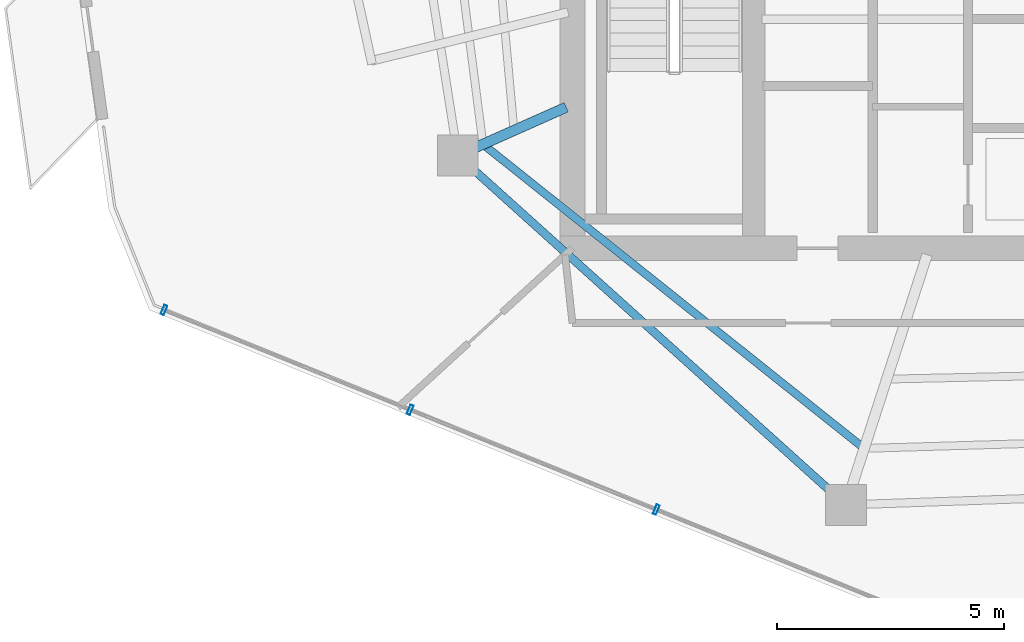
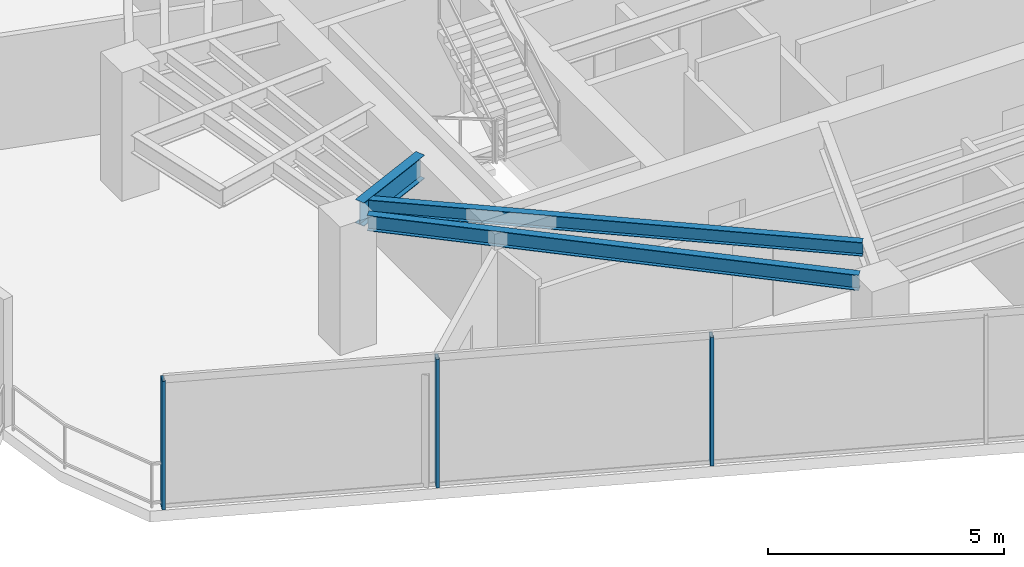
# One storey, part 2 of 19: 3 beams, 3 members, 1 element without a shape of its own.
"""IFC4 building model written with IfcOpenShell, lengths in metres."""

from ifc_helpers import new_model, si_unit, direction, frame, origin, origin_2d, place, context, subcontext, project, spatial, hollow_rectangle, i_section, extrude, material, layer, layer_set, material_profile, profile_set, type_object, element, aggregate, save


model = new_model("IFC4")

# Units and contexts
model_context = context("Model", 3, precision=1e-05, world=origin(), true_north=direction((0.0, 1.0)))
body_context = subcontext(model_context, "Body", "Model", "MODEL_VIEW")
ifc_project = project(units=[si_unit("LENGTHUNIT", "METRE"), si_unit("AREAUNIT", "SQUARE_METRE"), si_unit("VOLUMEUNIT", "CUBIC_METRE"), si_unit("PLANEANGLEUNIT", "RADIAN"), si_unit("MASSUNIT", "GRAM", prefix="KILO")], contexts=[model_context])

# Site, building, storey
site_placement = place(None, origin())
site = spatial("IfcSite", under=ifc_project, at=site_placement, CompositionType="ELEMENT")
building_placement = place(site_placement, origin())
building = spatial("IfcBuilding", under=site, at=building_placement, Name="Qarnah Convention Tower", CompositionType="ELEMENT")
storey_placement = place(building_placement, frame((0.0, 0.0, 209.39990234375)))
storey = spatial("IfcBuildingStorey", under=building, at=storey_placement, Name="L56", CompositionType="ELEMENT", Elevation=209.39990234375)

# Beams
ifc_material_1 = material(Name="Structural steel S355JR", Category="steel")
ifc_material_profile_1 = material_profile(ifc_material_1, i_section(OverallWidth=0.172119140625, OverallDepth=0.35595703125, WebThickness=0.007080078125, FlangeThickness=0.011962890625, at=origin_2d()), Name="W360X51")
ifc_profile_set_1 = profile_set([ifc_material_profile_1], Name="Structural steel S355JR")
beam_type_1 = type_object("IfcBeamType", Name="BM-JST-W360", PredefinedType="JOIST", material=ifc_profile_set_1)
beam_1_placement = place(storey_placement, frame((24.89892578125, 20.8359375, 3.14208984375), z_axis=(0.781677166358, -0.62368325903, 0.0), x_axis=(0.62368325903, 0.781677166358, 0.0)))
element("IfcBeam", 1, at=beam_1_placement, inside=storey, type_object=beam_type_1, Name="L56 joist BM-L56-SJST-06", PredefinedType="JOIST", context=body_context, shape_type="SweptSolid", body=[
    extrude(i_section(OverallWidth=0.172119140625, OverallDepth=0.35595703125, WebThickness=0.007080078125, FlangeThickness=0.011962890625, at=origin_2d()), origin(), (0.0, 0.0, 1.0), 10.569580078125),
])
ifc_material_profile_2 = material_profile(ifc_material_1, i_section(OverallWidth=0.22802734375, OverallDepth=0.60791015625, WebThickness=0.010986328125, FlangeThickness=0.01708984375, at=origin_2d()), Name="W610X113")
ifc_profile_set_2 = profile_set([ifc_material_profile_2], Name="Structural steel S355JR")
beam_type_2 = type_object("IfcBeamType", Name="BM-RAD-W610B", PredefinedType="BEAM", material=ifc_profile_set_2)
beam_2_placement = place(storey_placement, frame((26.6630859375, 21.708984375, 3.01611328125), z_axis=(-0.913585734164, -0.406646168471, 0.0), x_axis=(0.406646168471, -0.913585734164, 0.0)))
element("IfcBeam", 2, at=beam_2_placement, inside=storey, type_object=beam_type_2, Name="L56 beam BM-L56-RAD-06", PredefinedType="BEAM", context=body_context, shape_type="SweptSolid", body=[
    extrude(i_section(OverallWidth=0.22802734375, OverallDepth=0.60791015625, WebThickness=0.010986328125, FlangeThickness=0.01708984375, at=origin_2d()), origin(), (0.0, 0.0, 1.0), 2.18603515625),
])
ifc_material_profile_3 = material_profile(ifc_material_1, i_section(OverallWidth=0.179931640625, OverallDepth=0.39990234375, WebThickness=0.009033203125, FlangeThickness=0.013916015625, at=origin_2d()), Name="IPE400")
ifc_profile_set_3 = profile_set([ifc_material_profile_3], Name="Structural steel S355JR")
beam_type_3 = type_object("IfcBeamType", Name="BM-SPN-IPE400", PredefinedType="SPANDREL", material=ifc_profile_set_3)
beam_3_placement = place(storey_placement, frame((24.60009765625, 20.35107421875, 3.1201171875), z_axis=(0.743102275255, -0.669177860147, 0.0), x_axis=(0.669177860147, 0.743102275255, 0.0)))
element("IfcBeam", 3, at=beam_3_placement, inside=storey, type_object=beam_type_3, Name="L56 spandrel BM-L56-SPN-06", PredefinedType="SPANDREL", context=body_context, shape_type="SweptSolid", body=[
    extrude(i_section(OverallWidth=0.179931640625, OverallDepth=0.39990234375, WebThickness=0.009033203125, FlangeThickness=0.013916015625, at=origin_2d()), origin(), (0.0, 0.0, 1.0), 10.630859375),
])

# Curtain wall, members
ifc_material_2 = material(Name="Tempered Low-E dark glass", Category="glass")
ifc_layer = layer(ifc_material_2, 0.174072265625)
ifc_layer_set = layer_set([ifc_layer], Name="Tempered Low-E dark glass")
curtain_wall_type = type_object("IfcCurtainWallType", Name="CWS-04", PredefinedType="NOTDEFINED", material=ifc_layer_set)
curtain_wall_placement = place(storey_placement, origin())
curtain_wall = element("IfcCurtainWall", 4, at=curtain_wall_placement, inside=storey, type_object=curtain_wall_type, Name="L56 unitised curtain wall CW-L56-F2", PredefinedType="NOTDEFINED")
ifc_material_3 = material(Name="Black anodised aluminium", Category="aluminium")
ifc_material_profile_4 = material_profile(ifc_material_3, hollow_rectangle(XDim=0.074951171875, YDim=0.219970703125, WallThickness=0.0048828125, at=origin_2d()), Name="MUL-75X220")
ifc_profile_set_4 = profile_set([ifc_material_profile_4], Name="Black anodised aluminium")
member_type = type_object("IfcMemberType", Name="MUL-T4", PredefinedType="MULLION", material=ifc_profile_set_4)
member_1_placement = place(storey_placement, frame((28.648681640625, 12.837890625, 0.0), z_axis=(0.0, 0.0, 1.0), x_axis=(-0.926673035434, 0.375868441612, 0.0)))
member_1 = element("IfcMember", 5, at=member_1_placement, type_object=member_type, Name="CW-L56-F2 mullion 4", PredefinedType="MULLION", context=body_context, shape_type="SweptSolid", body=[
    extrude(hollow_rectangle(XDim=0.074951171875, YDim=0.219970703125, WallThickness=0.0048828125, at=origin_2d()), origin(), (0.0, 0.0, 1.0), 3.320068359375),
])
member_2_placement = place(storey_placement, frame((23.223388671875, 15.038330078125, 0.0), z_axis=(0.0, 0.0, 1.0), x_axis=(-0.926673035434, 0.375868441612, 0.0)))
member_2 = element("IfcMember", 6, at=member_2_placement, type_object=member_type, Name="CW-L56-F2 mullion 5", PredefinedType="MULLION", context=body_context, shape_type="SweptSolid", body=[
    extrude(hollow_rectangle(XDim=0.074951171875, YDim=0.219970703125, WallThickness=0.0048828125, at=origin_2d()), origin(), (0.0, 0.0, 1.0), 3.320068359375),
])
member_3_placement = place(storey_placement, frame((17.798095703125, 17.239013671875, 0.0), z_axis=(0.0, 0.0, 1.0), x_axis=(-0.926673035434, 0.375868441612, 0.0)))
member_3 = element("IfcMember", 7, at=member_3_placement, type_object=member_type, Name="CW-L56-F2 mullion 6", PredefinedType="MULLION", context=body_context, shape_type="SweptSolid", body=[
    extrude(hollow_rectangle(XDim=0.074951171875, YDim=0.219970703125, WallThickness=0.0048828125, at=origin_2d()), origin(), (0.0, 0.0, 1.0), 3.320068359375),
])
aggregate(curtain_wall, [member_1, member_2, member_3])

save(model, "model.ifc")
